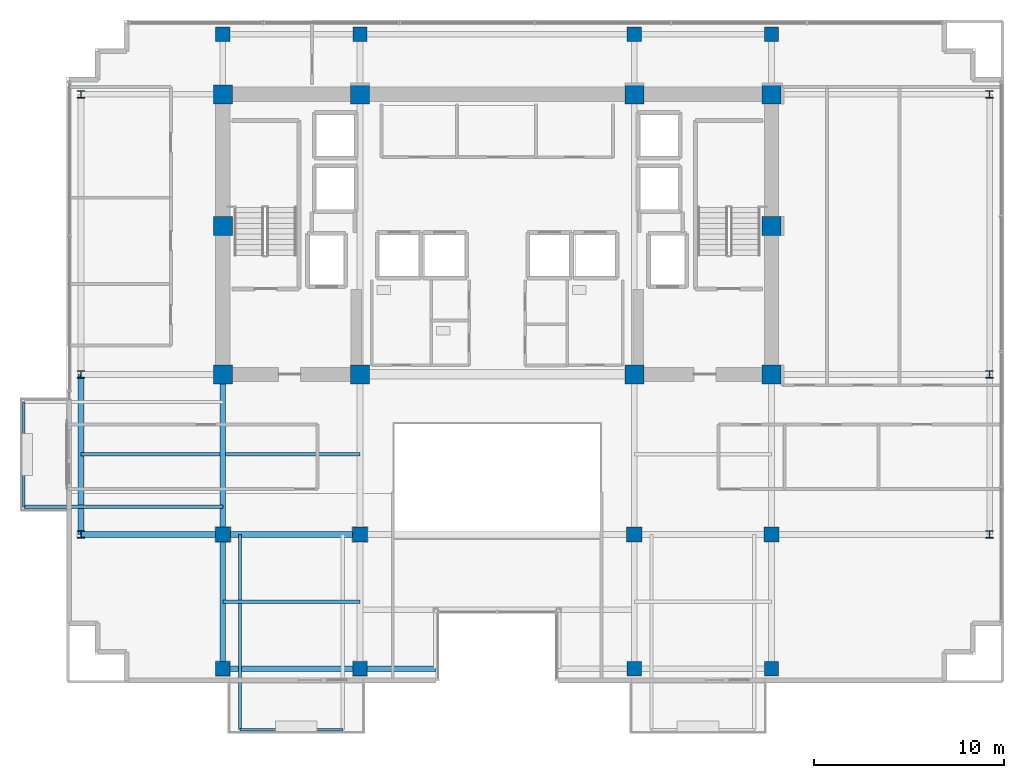
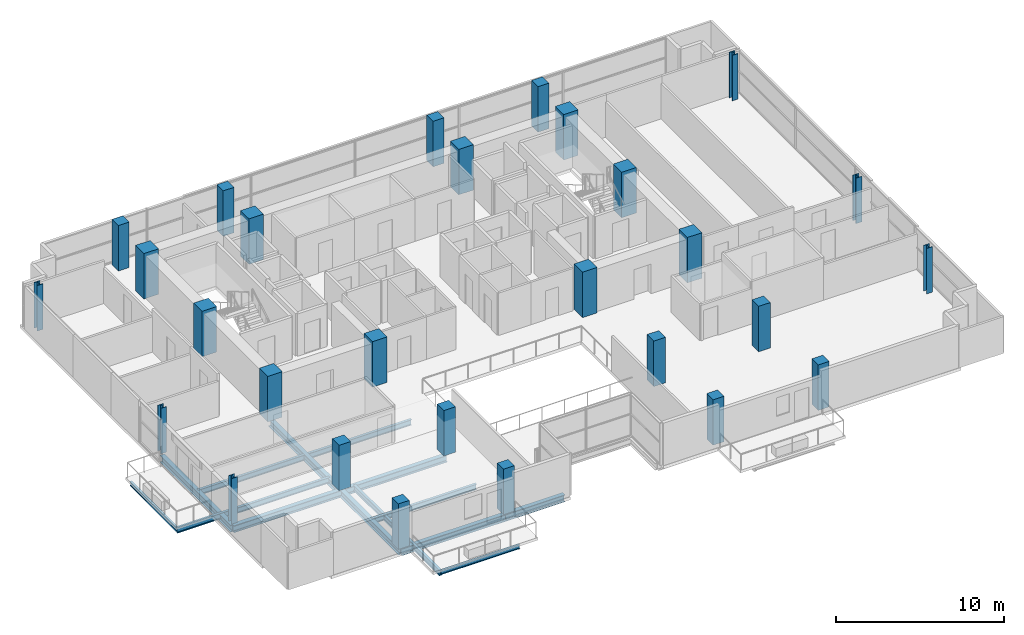
# One storey, part 1 of 22: 28 columns, 14 beams.
"""IFC4 building model written with IfcOpenShell, lengths in metres."""

from ifc_helpers import new_model, si_unit, direction, frame, origin, origin_2d, place, context, subcontext, project, spatial, rectangle, i_section, extrude, material, material_profile, profile_set, type_object, element, save


model = new_model("IFC4")

# Units and contexts
model_context = context("Model", 3, precision=1e-05, world=origin(), true_north=direction((0.0, 1.0)))
body_context = subcontext(model_context, "Body", "Model", "MODEL_VIEW")
ifc_project = project(units=[si_unit("LENGTHUNIT", "METRE"), si_unit("AREAUNIT", "SQUARE_METRE"), si_unit("VOLUMEUNIT", "CUBIC_METRE"), si_unit("PLANEANGLEUNIT", "RADIAN"), si_unit("MASSUNIT", "GRAM", prefix="KILO")], contexts=[model_context])

# Site, building, storey
site_placement = place(None, origin())
site = spatial("IfcSite", under=ifc_project, at=site_placement, CompositionType="ELEMENT")
building_placement = place(site_placement, origin())
building = spatial("IfcBuilding", under=site, at=building_placement, Name="Zarnakvel Exchange Tower", CompositionType="ELEMENT")
storey_placement = place(building_placement, frame((0.0, 0.0, 192.39990234375)))
storey = spatial("IfcBuildingStorey", under=building, at=storey_placement, Name="L54", CompositionType="ELEMENT", Elevation=192.39990234375)

# Columns
ifc_material_1 = material(Name="Concrete C60/75", Category="concrete")
ifc_material_profile_1 = material_profile(ifc_material_1, rectangle(XDim=1.0, YDim=1.0, at=origin_2d()))
ifc_profile_set_1 = profile_set([ifc_material_profile_1], Name="Concrete C60/75")
column_type_1 = type_object("IfcColumnType", Name="CC-02", PredefinedType="COLUMN", material=ifc_profile_set_1)
for number, where, z_axis, x_axis, name in (
    (1, (-14.39990234375, -1.199951171875, 0.0), (0.0, 0.0, 1.0), (1.0, 0.0, 0.0), "L54 Column C-4D (CC-02)"),
    (2, (-7.199951171875, -1.199951171875, 0.0), (0.0, 0.0, 1.0), (1.0, 0.0, 0.0), "L54 Column C-5D (CC-02)"),
    (3, (7.199951171875, -1.199951171875, 0.0), (0.0, 0.0, 1.0), (1.0, 0.0, 0.0), "L54 Column C-8D (CC-02)"),
    (4, (14.39990234375, -1.199951171875, 0.0), (0.0, 0.0, 1.0), (1.0, 0.0, 0.0), "L54 Column C-9D (CC-02)"),
    (5, (-14.39990234375, 6.60009765625, 0.0), (0.0, 0.0, 1.0), (1.0, 0.0, 0.0), "L54 Column C-4E (CC-02)"),
    (6, (14.39990234375, 6.60009765625, 0.0), (0.0, 0.0, 1.0), (1.0, 0.0, 0.0), "L54 Column C-9E (CC-02)"),
    (7, (-14.39990234375, 13.5, 0.0), (0.0, 0.0, 1.0), (1.0, 0.0, 0.0), "L54 Column C-4F (CC-02)"),
    (8, (-7.199951171875, 13.5, 0.0), (0.0, 0.0, 1.0), (1.0, 0.0, 0.0), "L54 Column C-5F (CC-02)"),
    (9, (7.199951171875, 13.5, 0.0), (0.0, 0.0, 1.0), (1.0, 0.0, 0.0), "L54 Column C-8F (CC-02)"),
    (10, (14.39990234375, 13.5, 0.0), (0.0, 0.0, 1.0), (1.0, 0.0, 0.0), "L54 Column C-9F (CC-02)"),
):
    element("IfcColumn", number, at=place(storey_placement, frame(where, z_axis=z_axis, x_axis=x_axis)), inside=storey, type_object=column_type_1, Name=name, PredefinedType="COLUMN", context=body_context, shape_type="SweptSolid", body=[
        extrude(rectangle(XDim=1.0, YDim=1.0, at=origin_2d()), origin(), (0.0, 0.0, 1.0), 3.300048828125),
    ])
ifc_material_2 = material(Name="Steel S355", Category="steel")
ifc_material_profile_2 = material_profile(ifc_material_2, i_section(OverallWidth=0.39892578125, OverallDepth=0.3935546875, WebThickness=0.022705078125, FlangeThickness=0.03662109375, FilletRadius=0.01513671875, at=origin_2d()))
ifc_profile_set_2 = profile_set([ifc_material_profile_2], Name="Steel S355")
column_type_2 = type_object("IfcColumnType", Name="SC-04", PredefinedType="COLUMN", material=ifc_profile_set_2)
for number, where, z_axis, x_axis, name in (
    (11, (-21.85009765625, -9.60009765625, 0.0), (0.0, 0.0, 1.0), (1.0, 0.0, 0.0), "L54 Column TW-C (SC-04)"),
    (12, (25.85009765625, -9.60009765625, 0.0), (0.0, 0.0, 1.0), (1.0, 0.0, 0.0), "L54 Column TE-C (SC-04)"),
    (13, (-21.85009765625, -1.199951171875, 0.0), (0.0, 0.0, 1.0), (1.0, 0.0, 0.0), "L54 Column TW-D (SC-04)"),
    (14, (25.85009765625, -1.199951171875, 0.0), (0.0, 0.0, 1.0), (1.0, 0.0, 0.0), "L54 Column TE-D (SC-04)"),
    (15, (-21.85009765625, 13.5, 0.0), (0.0, 0.0, 1.0), (1.0, 0.0, 0.0), "L54 Column TW-F (SC-04)"),
    (16, (25.85009765625, 13.5, 0.0), (0.0, 0.0, 1.0), (1.0, 0.0, 0.0), "L54 Column TE-F (SC-04)"),
):
    element("IfcColumn", number, at=place(storey_placement, frame(where, z_axis=z_axis, x_axis=x_axis)), inside=storey, type_object=column_type_2, Name=name, PredefinedType="COLUMN", context=body_context, shape_type="SweptSolid", body=[
        extrude(i_section(OverallWidth=0.39892578125, OverallDepth=0.3935546875, WebThickness=0.022705078125, FlangeThickness=0.03662109375, FilletRadius=0.01513671875, at=origin_2d()), origin(), (0.0, 0.0, 1.0), 3.300048828125),
    ])
ifc_material_profile_3 = material_profile(ifc_material_1, rectangle(XDim=0.800048828125, YDim=0.800048828125, at=origin_2d()))
ifc_profile_set_3 = profile_set([ifc_material_profile_3], Name="Concrete C60/75")
column_type_3 = type_object("IfcColumnType", Name="TC-03", PredefinedType="COLUMN", material=ifc_profile_set_3)
for number, where, z_axis, x_axis, name in (
    (17, (-14.39990234375, -9.60009765625, 0.0), (0.0, 0.0, 1.0), (1.0, 0.0, 0.0), "L54 Column T-4C (TC-03)"),
    (18, (-7.199951171875, -9.60009765625, 0.0), (0.0, 0.0, 1.0), (1.0, 0.0, 0.0), "L54 Column T-5C (TC-03)"),
    (19, (7.199951171875, -9.60009765625, 0.0), (0.0, 0.0, 1.0), (1.0, 0.0, 0.0), "L54 Column T-8C (TC-03)"),
    (20, (14.39990234375, -9.60009765625, 0.0), (0.0, 0.0, 1.0), (1.0, 0.0, 0.0), "L54 Column T-9C (TC-03)"),
):
    element("IfcColumn", number, at=place(storey_placement, frame(where, z_axis=z_axis, x_axis=x_axis)), inside=storey, type_object=column_type_3, Name=name, PredefinedType="COLUMN", context=body_context, shape_type="SweptSolid", body=[
        extrude(rectangle(XDim=0.800048828125, YDim=0.800048828125, at=origin_2d()), origin(), (0.0, 0.0, 1.0), 3.300048828125),
    ])
ifc_material_3 = material(Name="Concrete C50/60", Category="concrete")
ifc_material_profile_4 = material_profile(ifc_material_3, rectangle(XDim=0.75, YDim=0.75, at=origin_2d()))
ifc_profile_set_4 = profile_set([ifc_material_profile_4], Name="Concrete C50/60")
column_type_4 = type_object("IfcColumnType", Name="TC-04", PredefinedType="COLUMN", material=ifc_profile_set_4)
for number, where, z_axis, x_axis, name in (
    (21, (-14.39990234375, -16.64990234375, 0.0), (0.0, 0.0, 1.0), (1.0, 0.0, 0.0), "L54 Column TS-4 (TC-04)"),
    (22, (-14.39990234375, 16.64990234375, 0.0), (0.0, 0.0, 1.0), (1.0, 0.0, 0.0), "L54 Column TN-4 (TC-04)"),
    (23, (-7.199951171875, -16.64990234375, 0.0), (0.0, 0.0, 1.0), (1.0, 0.0, 0.0), "L54 Column TS-5 (TC-04)"),
    (24, (-7.199951171875, 16.64990234375, 0.0), (0.0, 0.0, 1.0), (1.0, 0.0, 0.0), "L54 Column TN-5 (TC-04)"),
    (25, (7.199951171875, -16.64990234375, 0.0), (0.0, 0.0, 1.0), (1.0, 0.0, 0.0), "L54 Column TS-8 (TC-04)"),
    (26, (7.199951171875, 16.64990234375, 0.0), (0.0, 0.0, 1.0), (1.0, 0.0, 0.0), "L54 Column TN-8 (TC-04)"),
    (27, (14.39990234375, -16.64990234375, 0.0), (0.0, 0.0, 1.0), (1.0, 0.0, 0.0), "L54 Column TS-9 (TC-04)"),
    (28, (14.39990234375, 16.64990234375, 0.0), (0.0, 0.0, 1.0), (1.0, 0.0, 0.0), "L54 Column TN-9 (TC-04)"),
):
    element("IfcColumn", number, at=place(storey_placement, frame(where, z_axis=z_axis, x_axis=x_axis)), inside=storey, type_object=column_type_4, Name=name, PredefinedType="COLUMN", context=body_context, shape_type="SweptSolid", body=[
        extrude(rectangle(XDim=0.75, YDim=0.75, at=origin_2d()), origin(), (0.0, 0.0, 1.0), 3.300048828125),
    ])

# Beams
ifc_material_profile_5 = material_profile(ifc_material_2, i_section(OverallWidth=0.179931640625, OverallDepth=0.39990234375, WebThickness=0.008544921875, FlangeThickness=0.013427734375, FilletRadius=0.02099609375, at=origin_2d()))
ifc_profile_set_5 = profile_set([ifc_material_profile_5], Name="Steel S355")
beam_type_1 = type_object("IfcBeamType", Name="B-06", PredefinedType="JOIST", material=ifc_profile_set_5)
beam_1_placement = place(storey_placement, frame((-14.39990234375, -13.125, -0.4248046875), z_axis=(1.0, 0.0, 0.0), x_axis=(0.0, 1.0, 0.0)))
element("IfcBeam", 29, at=beam_1_placement, inside=storey, type_object=beam_type_1, Name="L54 Composite Floor Secondary Joist", PredefinedType="JOIST", context=body_context, shape_type="SweptSolid", body=[
    extrude(i_section(OverallWidth=0.179931640625, OverallDepth=0.39990234375, WebThickness=0.008544921875, FlangeThickness=0.013427734375, FilletRadius=0.02099609375, at=origin_2d()), origin(), (0.0, 0.0, 1.0), 7.199951171875),
])
beam_2_placement = place(storey_placement, frame((-21.85009765625, -5.39990234375, -0.4248046875), z_axis=(1.0, 0.0, 0.0), x_axis=(0.0, 1.0, 0.0)))
element("IfcBeam", 30, at=beam_2_placement, inside=storey, type_object=beam_type_1, Name="L54 Composite Floor Secondary Joist", PredefinedType="JOIST", context=body_context, shape_type="SweptSolid", body=[
    extrude(i_section(OverallWidth=0.179931640625, OverallDepth=0.39990234375, WebThickness=0.008544921875, FlangeThickness=0.013427734375, FilletRadius=0.02099609375, at=origin_2d()), origin(), (0.0, 0.0, 1.0), 7.300048828125),
])
beam_3_placement = place(storey_placement, frame((-14.25, -5.39990234375, -0.4248046875), z_axis=(1.0, 0.0, 0.0), x_axis=(0.0, 1.0, 0.0)))
element("IfcBeam", 31, at=beam_3_placement, inside=storey, type_object=beam_type_1, Name="L54 Composite Floor Secondary Joist", PredefinedType="JOIST", context=body_context, shape_type="SweptSolid", body=[
    extrude(i_section(OverallWidth=0.179931640625, OverallDepth=0.39990234375, WebThickness=0.008544921875, FlangeThickness=0.013427734375, FilletRadius=0.02099609375, at=origin_2d()), origin(), (0.0, 0.0, 1.0), 7.050048828125),
])
beam_4_placement = place(storey_placement, frame((-13.5, -9.60009765625, -0.4248046875), z_axis=(0.0, -1.0, 0.0), x_axis=(1.0, 0.0, 0.0)))
element("IfcBeam", 32, at=beam_4_placement, inside=storey, type_object=beam_type_1, Name="L54 Continuous Back-Spanned Balcony Beam W", PredefinedType="JOIST", context=body_context, shape_type="SweptSolid", body=[
    extrude(i_section(OverallWidth=0.179931640625, OverallDepth=0.39990234375, WebThickness=0.008544921875, FlangeThickness=0.013427734375, FilletRadius=0.02099609375, at=origin_2d()), origin(), (0.0, 0.0, 1.0), 10.25),
])
beam_5_placement = place(storey_placement, frame((-14.39990234375, -8.14990234375, -0.4248046875), z_axis=(-1.0, 0.0, 0.0), x_axis=(0.0, -1.0, 0.0)))
element("IfcBeam", 33, at=beam_5_placement, inside=storey, type_object=beam_type_1, Name="L54 Continuous West Loggia Beam S", PredefinedType="JOIST", context=body_context, shape_type="SweptSolid", body=[
    extrude(i_section(OverallWidth=0.179931640625, OverallDepth=0.39990234375, WebThickness=0.008544921875, FlangeThickness=0.013427734375, FilletRadius=0.02099609375, at=origin_2d()), origin(), (0.0, 0.0, 1.0), 10.4501953125),
])
ifc_material_profile_6 = material_profile(ifc_material_2, i_section(OverallWidth=0.14990234375, OverallDepth=0.300048828125, WebThickness=0.007080078125, FlangeThickness=0.0107421875, FilletRadius=0.014892578125, at=origin_2d()))
ifc_profile_set_6 = profile_set([ifc_material_profile_6], Name="Steel S355")
beam_type_2 = type_object("IfcBeamType", Name="B-08", PredefinedType="JOIST", material=ifc_profile_set_6)
beam_6_placement = place(storey_placement, frame((-13.5, -19.85009765625, -0.375), z_axis=(1.0, 0.0, 0.0), x_axis=(0.0, 1.0, 0.0)))
element("IfcBeam", 34, at=beam_6_placement, inside=storey, type_object=beam_type_2, Name="L54 Balcony Edge Beam", PredefinedType="JOIST", context=body_context, shape_type="SweptSolid", body=[
    extrude(i_section(OverallWidth=0.14990234375, OverallDepth=0.300048828125, WebThickness=0.007080078125, FlangeThickness=0.0107421875, FilletRadius=0.014892578125, at=origin_2d()), origin(), (0.0, 0.0, 1.0), 5.39990234375),
])
beam_7_placement = place(storey_placement, frame((-24.85009765625, -8.14990234375, -0.375), z_axis=(0.0, 1.0, 0.0), x_axis=(-1.0, 0.0, 0.0)))
element("IfcBeam", 35, at=beam_7_placement, inside=storey, type_object=beam_type_2, Name="L54 West Loggia Edge Beam", PredefinedType="JOIST", context=body_context, shape_type="SweptSolid", body=[
    extrude(i_section(OverallWidth=0.14990234375, OverallDepth=0.300048828125, WebThickness=0.007080078125, FlangeThickness=0.0107421875, FilletRadius=0.014892578125, at=origin_2d()), origin(), (0.0, 0.0, 1.0), 5.5),
])
ifc_material_profile_7 = material_profile(ifc_material_2, i_section(OverallWidth=0.300048828125, OverallDepth=0.5, WebThickness=0.014404296875, FlangeThickness=0.028076171875, FilletRadius=0.027099609375, at=origin_2d()))
ifc_profile_set_7 = profile_set([ifc_material_profile_7], Name="Steel S355")
beam_type_3 = type_object("IfcBeamType", Name="G-06", PredefinedType="BEAM", material=ifc_profile_set_7)
beam_8_placement = place(storey_placement, frame((-21.85009765625, -9.60009765625, -0.474853515625), z_axis=(1.0, 0.0, 0.0), x_axis=(0.0, 1.0, 0.0)))
element("IfcBeam", 36, at=beam_8_placement, inside=storey, type_object=beam_type_3, Name="L54 Tower E-W Frame Beam", PredefinedType="BEAM", context=body_context, shape_type="SweptSolid", body=[
    extrude(i_section(OverallWidth=0.300048828125, OverallDepth=0.5, WebThickness=0.014404296875, FlangeThickness=0.028076171875, FilletRadius=0.027099609375, at=origin_2d()), origin(), (0.0, 0.0, 1.0), 7.4501953125),
])
beam_9_placement = place(storey_placement, frame((-14.39990234375, -9.60009765625, -0.474853515625), z_axis=(1.0, 0.0, 0.0), x_axis=(0.0, 1.0, 0.0)))
element("IfcBeam", 37, at=beam_9_placement, inside=storey, type_object=beam_type_3, Name="L54 Tower E-W Frame Beam", PredefinedType="BEAM", context=body_context, shape_type="SweptSolid", body=[
    extrude(i_section(OverallWidth=0.300048828125, OverallDepth=0.5, WebThickness=0.014404296875, FlangeThickness=0.028076171875, FilletRadius=0.027099609375, at=origin_2d()), origin(), (0.0, 0.0, 1.0), 7.199951171875),
])
beam_10_placement = place(storey_placement, frame((-14.39990234375, -16.64990234375, -0.474853515625), z_axis=(0.0, 1.0, 0.0), x_axis=(-1.0, 0.0, 0.0)))
element("IfcBeam", 38, at=beam_10_placement, inside=storey, type_object=beam_type_3, Name="L54 Tower N-S Frame Beam", PredefinedType="BEAM", context=body_context, shape_type="SweptSolid", body=[
    extrude(i_section(OverallWidth=0.300048828125, OverallDepth=0.5, WebThickness=0.014404296875, FlangeThickness=0.028076171875, FilletRadius=0.027099609375, at=origin_2d()), origin(), (0.0, 0.0, 1.0), 7.0498046875),
])
beam_11_placement = place(storey_placement, frame((-14.39990234375, -9.60009765625, -0.474853515625), z_axis=(0.0, 1.0, 0.0), x_axis=(-1.0, 0.0, 0.0)))
element("IfcBeam", 39, at=beam_11_placement, inside=storey, type_object=beam_type_3, Name="L54 Tower N-S Frame Beam", PredefinedType="BEAM", context=body_context, shape_type="SweptSolid", body=[
    extrude(i_section(OverallWidth=0.300048828125, OverallDepth=0.5, WebThickness=0.014404296875, FlangeThickness=0.028076171875, FilletRadius=0.027099609375, at=origin_2d()), origin(), (0.0, 0.0, 1.0), 8.400146484375),
])
ifc_material_profile_8 = material_profile(ifc_material_2, i_section(OverallWidth=0.300048828125, OverallDepth=0.5, WebThickness=0.014404296875, FlangeThickness=0.028076171875, FilletRadius=0.027099609375, at=origin_2d()))
ifc_profile_set_8 = profile_set([ifc_material_profile_8], Name="Steel S355")
beam_type_4 = type_object("IfcBeamType", Name="SP-02", PredefinedType="SPANDREL", material=ifc_profile_set_8)
beam_12_placement = place(storey_placement, frame((-14.39990234375, -16.64990234375, -0.474853515625), z_axis=(1.0, 0.0, 0.0), x_axis=(0.0, 1.0, 0.0)))
element("IfcBeam", 40, at=beam_12_placement, inside=storey, type_object=beam_type_4, Name="L54 Tower E-W Frame Beam", PredefinedType="SPANDREL", context=body_context, shape_type="SweptSolid", body=[
    extrude(i_section(OverallWidth=0.300048828125, OverallDepth=0.5, WebThickness=0.014404296875, FlangeThickness=0.028076171875, FilletRadius=0.027099609375, at=origin_2d()), origin(), (0.0, 0.0, 1.0), 7.199951171875),
])
beam_13_placement = place(storey_placement, frame((-7.199951171875, -16.64990234375, -0.474853515625), z_axis=(1.0, 0.0, 0.0), x_axis=(0.0, 1.0, 0.0)))
element("IfcBeam", 41, at=beam_13_placement, inside=storey, type_object=beam_type_4, Name="L54 South Slot West Jamb Spandrel", PredefinedType="SPANDREL", context=body_context, shape_type="SweptSolid", body=[
    extrude(i_section(OverallWidth=0.300048828125, OverallDepth=0.5, WebThickness=0.014404296875, FlangeThickness=0.028076171875, FilletRadius=0.027099609375, at=origin_2d()), origin(), (0.0, 0.0, 1.0), 4.0),
])
beam_14_placement = place(storey_placement, frame((-21.85009765625, -9.60009765625, -0.474853515625), z_axis=(0.0, 1.0, 0.0), x_axis=(-1.0, 0.0, 0.0)))
element("IfcBeam", 42, at=beam_14_placement, inside=storey, type_object=beam_type_4, Name="L54 Tower N-S Frame Beam", PredefinedType="SPANDREL", context=body_context, shape_type="SweptSolid", body=[
    extrude(i_section(OverallWidth=0.300048828125, OverallDepth=0.5, WebThickness=0.014404296875, FlangeThickness=0.028076171875, FilletRadius=0.027099609375, at=origin_2d()), origin(), (0.0, 0.0, 1.0), 8.400146484375),
])

save(model, "model.ifc")
